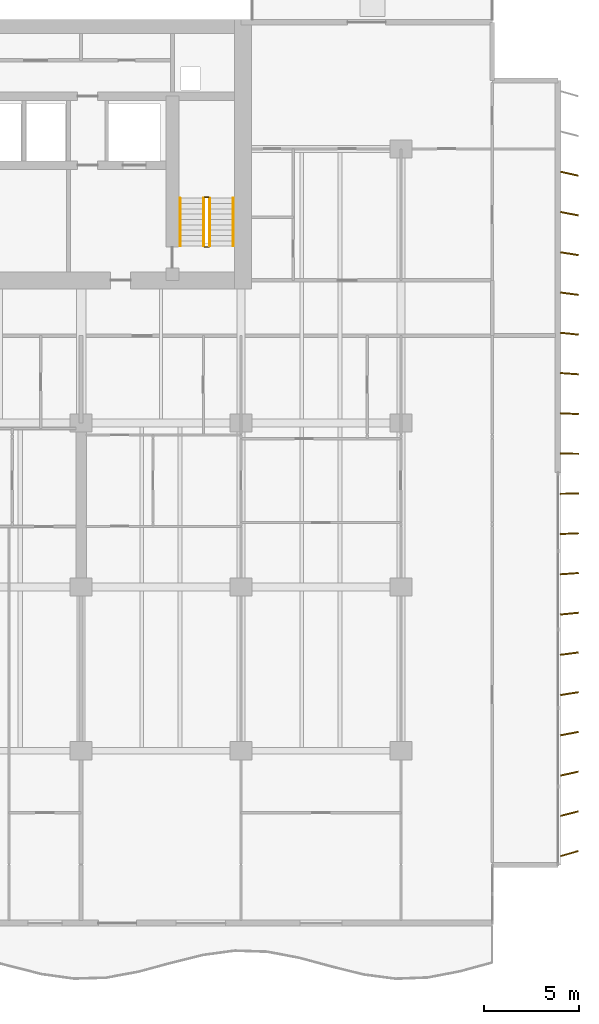
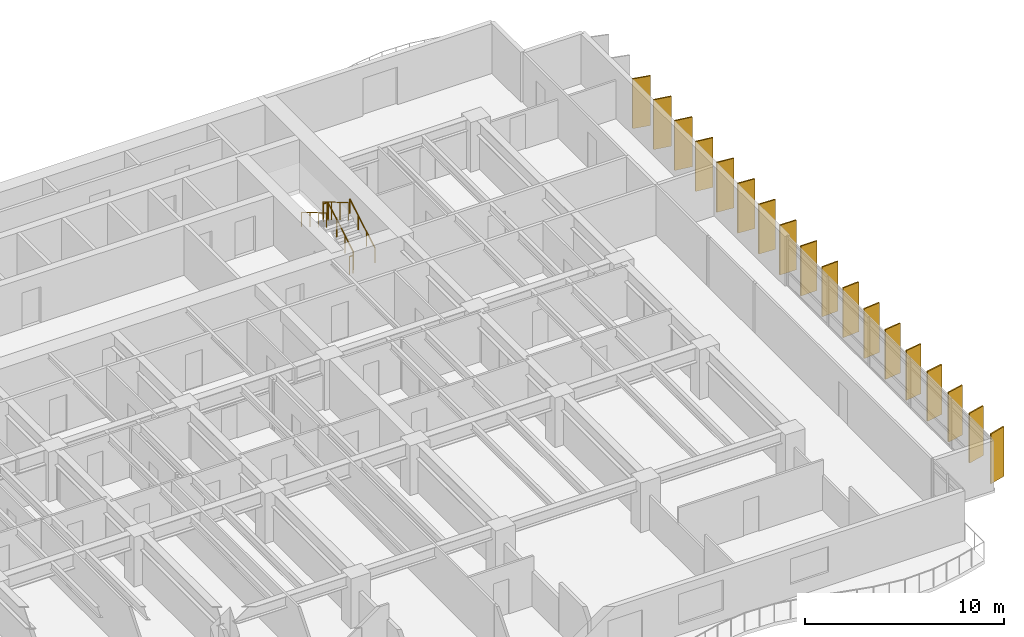
# One storey, part 17 of 18: 18 shading devices, 6 railings.
"""IFC4 building model written with IfcOpenShell, lengths in metres."""

from ifc_helpers import new_model, si_unit, direction, frame, origin, origin_2d, place, context, subcontext, project, spatial, rectangle, circle, extrude, material, material_profile, profile_set, type_object, element, save


model = new_model("IFC4")

# Units and contexts
model_context = context("Model", 3, precision=1e-05, world=origin(), true_north=direction((0.0, 1.0)))
body_context = subcontext(model_context, "Body", "Model", "MODEL_VIEW")
ifc_project = project(units=[si_unit("LENGTHUNIT", "METRE"), si_unit("AREAUNIT", "SQUARE_METRE"), si_unit("VOLUMEUNIT", "CUBIC_METRE"), si_unit("PLANEANGLEUNIT", "RADIAN"), si_unit("MASSUNIT", "GRAM", prefix="KILO")], contexts=[model_context])

# Site, building, storey
site_placement = place(None, origin())
site = spatial("IfcSite", under=ifc_project, at=site_placement, CompositionType="ELEMENT")
building_placement = place(site_placement, origin())
building = spatial("IfcBuilding", under=site, at=building_placement, Name="Caelmar Bay Residences", CompositionType="ELEMENT")
storey_placement = place(building_placement, frame((0.0, 0.0, 46.5)))
storey = spatial("IfcBuildingStorey", under=building, at=storey_placement, Name="L11", CompositionType="ELEMENT", Elevation=46.5)

# Railings
ifc_material_1 = material(Name="Painted galvanized steel stair guard 1100 mm", Category="steel")
railing_type_1 = type_object("IfcRailingType", Name="RL-GRD-1100", PredefinedType="GUARDRAIL", material=ifc_material_1)
railing_1_placement = place(storey_placement, frame((57.85009765625, 38.699951171875, 0.1650390625)))
element("IfcRailing", 1, at=railing_1_placement, inside=storey, type_object=railing_type_1, Name="L11 ST2 stair guard 1", PredefinedType="GUARDRAIL", context=body_context, shape_type="SweptSolid", body=[
    extrude(circle(Radius=0.02392578125, at=origin_2d()), frame((0.0, 0.0, 1.076171875), z_axis=(0.0, 0.861560626758, 0.507654692109), x_axis=(-1.0, 0.0, 0.0)), (0.0, 0.0, 1.0), 2.925048828125),
    extrude(circle(Radius=0.02099609375, at=origin_2d()), origin(), (0.0, 0.0, 1.0), 1.052001953125),
    extrude(circle(Radius=0.02099609375, at=origin_2d()), frame((0.0, 0.840087890625, 0.494873046875)), (0.0, 0.0, 1.0), 1.052001953125),
    extrude(circle(Radius=0.02099609375, at=origin_2d()), frame((0.0, 1.679931640625, 0.989990234375)), (0.0, 0.0, 1.0), 1.052001953125),
    extrude(circle(Radius=0.02099609375, at=origin_2d()), frame((0.0, 2.52001953125, 1.48486328125)), (0.0, 0.0, 1.0), 1.052001953125),
])
railing_2_placement = place(storey_placement, frame((57.800048828125, 41.27001953125, 1.64990234375)))
element("IfcRailing", 2, at=railing_2_placement, inside=storey, type_object=railing_type_1, Name="L11 ST2 stair guard 2", PredefinedType="GUARDRAIL", context=body_context, shape_type="SweptSolid", body=[
    extrude(circle(Radius=0.02392578125, at=origin_2d()), frame((0.0, 0.0, 1.076171875), z_axis=(-1.0, 0.0, 0.0), x_axis=(0.0, -1.0, 0.0)), (0.0, 0.0, 1.0), 0.199951171875),
    extrude(circle(Radius=0.02099609375, at=origin_2d()), origin(), (0.0, 0.0, 1.0), 1.052001953125),
    extrude(circle(Radius=0.02099609375, at=origin_2d()), frame((-0.199951171875, 0.0, 0.0)), (0.0, 0.0, 1.0), 1.052001953125),
])
railing_3_placement = place(storey_placement, frame((57.550048828125, 41.219970703125, 1.81494140625)))
element("IfcRailing", 3, at=railing_3_placement, inside=storey, type_object=railing_type_1, Name="L11 ST2 stair guard 3", PredefinedType="GUARDRAIL", context=body_context, shape_type="SweptSolid", body=[
    extrude(circle(Radius=0.02392578125, at=origin_2d()), frame((0.0, 0.0, 1.076171875), z_axis=(0.0, -0.86152411907, 0.507716645641), x_axis=(1.0, 0.0, 0.0)), (0.0, 0.0, 1.0), 2.925048828125),
    extrude(circle(Radius=0.02099609375, at=origin_2d()), origin(), (0.0, 0.0, 1.0), 1.052001953125),
    extrude(circle(Radius=0.02099609375, at=origin_2d()), frame((0.0, -0.840087890625, 0.4951171875)), (0.0, 0.0, 1.0), 1.052001953125),
    extrude(circle(Radius=0.02099609375, at=origin_2d()), frame((0.0, -1.679931640625, 0.989990234375)), (0.0, 0.0, 1.0), 1.052001953125),
    extrude(circle(Radius=0.02099609375, at=origin_2d()), frame((0.0, -2.52001953125, 1.485107421875)), (0.0, 0.0, 1.0), 1.052001953125),
])
railing_4_placement = place(storey_placement, frame((57.800048828125, 38.64990234375, 0.0)))
element("IfcRailing", 4, at=railing_4_placement, inside=storey, type_object=railing_type_1, Name="L11 ST2 stair guard 4", PredefinedType="GUARDRAIL", context=body_context, shape_type="SweptSolid", body=[
    extrude(circle(Radius=0.02392578125, at=origin_2d()), frame((0.0, 0.0, 1.076171875), z_axis=(-1.0, 0.0, 0.0), x_axis=(0.0, -1.0, 0.0)), (0.0, 0.0, 1.0), 0.199951171875),
    extrude(circle(Radius=0.02099609375, at=origin_2d()), origin(), (0.0, 0.0, 1.0), 1.052001953125),
    extrude(circle(Radius=0.02099609375, at=origin_2d()), frame((-0.199951171875, 0.0, 0.0)), (0.0, 0.0, 1.0), 1.052001953125),
])
ifc_material_2 = material(Name="Brushed bronze stainless-steel tubular handrail 900 mm", Category="steel")
railing_type_2 = type_object("IfcRailingType", Name="RL-HND-900", PredefinedType="HANDRAIL", material=ifc_material_2)
railing_5_placement = place(storey_placement, frame((59.10009765625, 38.699951171875, 0.1650390625)))
element("IfcRailing", 5, at=railing_5_placement, inside=storey, type_object=railing_type_2, Name="L11 ST2 stair handrail 1", PredefinedType="HANDRAIL", context=body_context, shape_type="SweptSolid", body=[
    extrude(circle(Radius=0.02392578125, at=origin_2d()), frame((0.0, 0.0, 0.8759765625), z_axis=(0.0, 0.861560626758, 0.507654692109), x_axis=(-1.0, 0.0, 0.0)), (0.0, 0.0, 1.0), 2.925048828125),
    extrude(circle(Radius=0.02099609375, at=origin_2d()), origin(), (0.0, 0.0, 1.0), 0.851806640625),
    extrude(circle(Radius=0.02099609375, at=origin_2d()), frame((0.0, 0.840087890625, 0.494873046875)), (0.0, 0.0, 1.0), 0.851806640625),
    extrude(circle(Radius=0.02099609375, at=origin_2d()), frame((0.0, 1.679931640625, 0.989990234375)), (0.0, 0.0, 1.0), 0.851806640625),
    extrude(circle(Radius=0.02099609375, at=origin_2d()), frame((0.0, 2.52001953125, 1.48486328125)), (0.0, 0.0, 1.0), 0.851806640625),
])
railing_6_placement = place(storey_placement, frame((56.300048828125, 41.219970703125, 1.81494140625)))
element("IfcRailing", 6, at=railing_6_placement, inside=storey, type_object=railing_type_2, Name="L11 ST2 stair handrail 2", PredefinedType="HANDRAIL", context=body_context, shape_type="SweptSolid", body=[
    extrude(circle(Radius=0.02392578125, at=origin_2d()), frame((0.0, 0.0, 0.8759765625), z_axis=(0.0, -0.86152411907, 0.507716645641), x_axis=(1.0, 0.0, 0.0)), (0.0, 0.0, 1.0), 2.925048828125),
    extrude(circle(Radius=0.02099609375, at=origin_2d()), origin(), (0.0, 0.0, 1.0), 0.851806640625),
    extrude(circle(Radius=0.02099609375, at=origin_2d()), frame((0.0, -0.840087890625, 0.4951171875)), (0.0, 0.0, 1.0), 0.851806640625),
    extrude(circle(Radius=0.02099609375, at=origin_2d()), frame((0.0, -1.679931640625, 0.989990234375)), (0.0, 0.0, 1.0), 0.851806640625),
    extrude(circle(Radius=0.02099609375, at=origin_2d()), frame((0.0, -2.52001953125, 1.485107421875)), (0.0, 0.0, 1.0), 0.851806640625),
])

# Shading devices
ifc_material_3 = material(Name="Anodised architectural bronze aluminium 6063-T6", Category="aluminium")
ifc_material_profile = material_profile(ifc_material_3, rectangle(XDim=0.074951171875, YDim=0.949951171875, at=origin_2d()), Name="BRONZE-FIN-75X950")
ifc_profile_set = profile_set([ifc_material_profile], Name="Anodised architectural bronze aluminium 6063-T6")
shading_device_type = type_object("IfcShadingDeviceType", Name="SHD-FIN-950", PredefinedType="USERDEFINED", material=ifc_profile_set)
for number, where, z_axis, x_axis, name in (
    (7, (76.75, 6.800048828125, 0.0), (0.0, 0.0, 1.0), (-0.275637355817, 0.961261695938, 0.0), "L11 East Bronze Solar Fin 1"),
    (8, (76.75, 8.89990234375, 0.0), (0.0, 0.0, 1.0), (-0.247337247968, 0.968929453452, 0.0), "L11 East Bronze Solar Fin 2"),
    (9, (76.75, 11.0, 0.0), (0.0, 0.0, 1.0), (-0.218654200292, 0.975802408633, 0.0), "L11 East Bronze Solar Fin 3"),
    (10, (76.75, 13.10009765625, 0.0), (0.0, 0.0, 1.0), (-0.189952291512, 0.981793321911, 0.0), "L11 East Bronze Solar Fin 4"),
    (11, (76.75, 15.199951171875, 0.0), (0.0, 0.0, 1.0), (-0.160914826518, 0.986968296657, 0.0), "L11 East Bronze Solar Fin 5"),
    (12, (76.75, 17.300048828125, 0.0), (0.0, 0.0, 1.0), (-0.131910382711, 0.991261646052, 0.0), "L11 East Bronze Solar Fin 6"),
    (13, (76.75, 19.39990234375, 0.0), (0.0, 0.0, 1.0), (-0.10261892683, 0.994720742649, 0.0), "L11 East Bronze Solar Fin 7"),
    (14, (76.75, 21.5, 0.0), (0.0, 0.0, 1.0), (-0.073412260224, 0.997301679558, 0.0), "L11 East Bronze Solar Fin 8"),
    (15, (76.75, 23.60009765625, 0.0), (0.0, 0.0, 1.0), (-0.044142481788, 0.999025245578, 0.0), "L11 East Bronze Solar Fin 9"),
    (16, (76.75, 25.699951171875, 0.0), (0.0, 0.0, 1.0), (-0.01466024053, 0.999892532899, 0.0), "L11 East Bronze Solar Fin 10"),
    (17, (76.75, 27.800048828125, 0.0), (0.0, 0.0, 1.0), (0.01466024053, 0.999892532899, 0.0), "L11 East Bronze Solar Fin 11"),
    (18, (76.75, 29.89990234375, 0.0), (0.0, 0.0, 1.0), (0.044142481788, 0.999025245578, 0.0), "L11 East Bronze Solar Fin 12"),
    (19, (76.75, 32.0, 0.0), (0.0, 0.0, 1.0), (0.073412260224, 0.997301679558, 0.0), "L11 East Bronze Solar Fin 13"),
    (20, (76.75, 34.10009765625, 0.0), (0.0, 0.0, 1.0), (0.10261892683, 0.994720742649, 0.0), "L11 East Bronze Solar Fin 14"),
    (21, (76.75, 36.199951171875, 0.0), (0.0, 0.0, 1.0), (0.131910382711, 0.991261646052, 0.0), "L11 East Bronze Solar Fin 15"),
    (22, (76.75, 38.300048828125, 0.0), (0.0, 0.0, 1.0), (0.160914826518, 0.986968296657, 0.0), "L11 East Bronze Solar Fin 16"),
    (23, (76.75, 40.39990234375, 0.0), (0.0, 0.0, 1.0), (0.189952291512, 0.981793321911, 0.0), "L11 East Bronze Solar Fin 17"),
    (24, (76.75, 42.5, 0.0), (0.0, 0.0, 1.0), (0.218654200292, 0.975802408633, 0.0), "L11 East Bronze Solar Fin 18"),
):
    element("IfcShadingDevice", number, at=place(storey_placement, frame(where, z_axis=z_axis, x_axis=x_axis)), inside=storey, type_object=shading_device_type, Name=name, ObjectType="FIN", PredefinedType="USERDEFINED", context=body_context, shape_type="SweptSolid", body=[
        extrude(rectangle(XDim=0.074951171875, YDim=0.949951171875, at=origin_2d()), origin(), (0.0, 0.0, 1.0), 3.050048828125),
    ])

save(model, "model.ifc")
